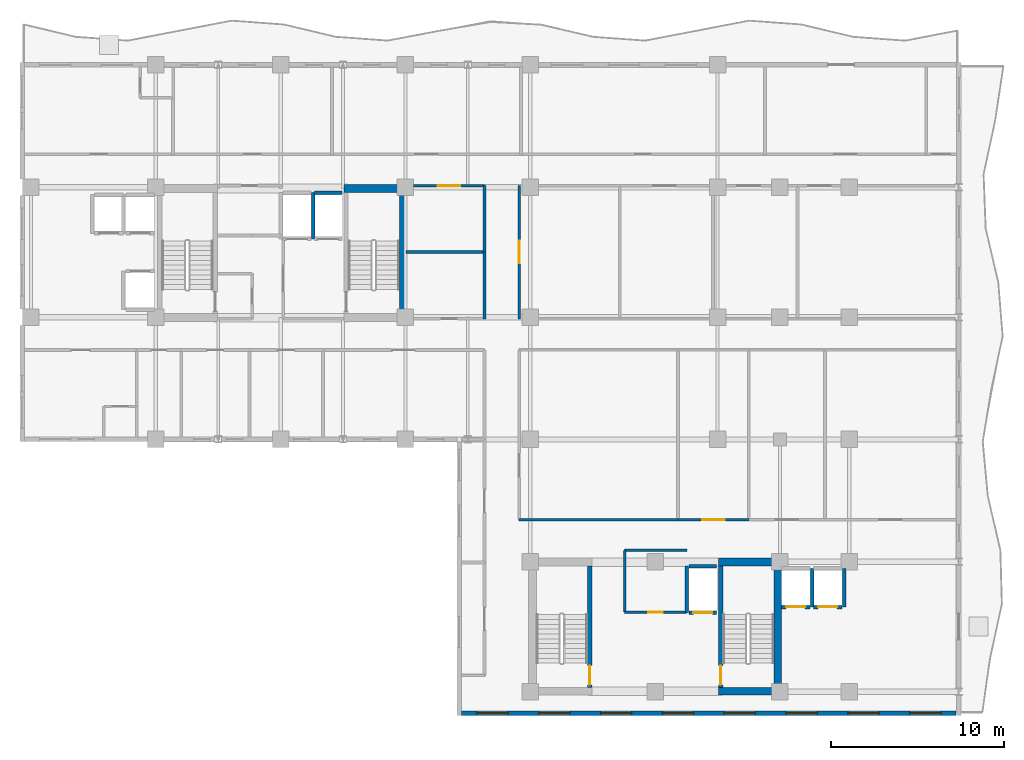
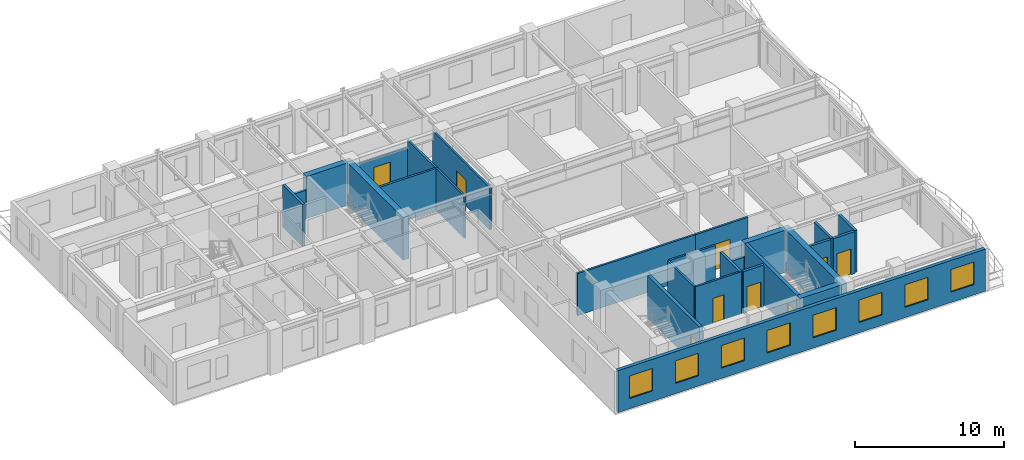
# One storey, part 7 of 13: 27 walls, 9 doors, 8 windows, 17 openings.
"""IFC4 building model written with IfcOpenShell, lengths in metres."""

from ifc_helpers import new_model, si_unit, direction, frame, frame_2d, origin, place, context, subcontext, project, spatial, rectangle, extrude, material, layer, layer_set, type_object, element, fill, save


model = new_model("IFC4")

# Units and contexts
model_context = context("Model", 3, precision=1e-05, world=origin(), true_north=direction((0.0, 1.0)))
body_context = subcontext(model_context, "Body", "Model", "MODEL_VIEW")
ifc_project = project(units=[si_unit("LENGTHUNIT", "METRE"), si_unit("AREAUNIT", "SQUARE_METRE"), si_unit("VOLUMEUNIT", "CUBIC_METRE"), si_unit("PLANEANGLEUNIT", "RADIAN"), si_unit("MASSUNIT", "GRAM", prefix="KILO")], contexts=[model_context])

# Site, building, storey
site_placement = place(None, origin())
site = spatial("IfcSite", under=ifc_project, at=site_placement, CompositionType="ELEMENT")
building_placement = place(site_placement, origin())
building = spatial("IfcBuilding", under=site, at=building_placement, Name="Kaliganga Portal Commons", CompositionType="ELEMENT")
storey_placement = place(building_placement, frame((0.0, 0.0, 209.199951171875)))
storey = spatial("IfcBuildingStorey", under=building, at=storey_placement, Name="L53", CompositionType="ELEMENT", Elevation=209.199951171875)

# Walls
ifc_material_1 = material(Name="Concrete C60/75", Category="concrete")
ifc_layer_1 = layer(ifc_material_1, 0.449951171875)
ifc_layer_set_1 = layer_set([ifc_layer_1], Name="Concrete C60/75")
wall_type_1 = type_object("IfcWallType", Name="WL-CORE-450", PredefinedType="SHEAR", material=ifc_layer_set_1)
wall_1_placement = place(storey_placement, frame((28.675048828125, 28.39990234375, 0.0), z_axis=(0.0, 0.0, 1.0), x_axis=(0.0, 1.0, 0.0)))
element("IfcWall", 1, at=wall_1_placement, inside=storey, type_object=wall_type_1, Name="Core A East Shear Wall L53", PredefinedType="SHEAR", context=body_context, shape_type="SweptSolid", body=[
    extrude(rectangle(XDim=7.900146484375, YDim=0.449951171875, at=frame_2d((3.9501953125, 0.0))), origin(), (0.0, 0.0, 1.0), 3.469970703125),
])
wall_2_placement = place(storey_placement, frame((25.25, 36.074951171875, 0.0), z_axis=(0.0, 0.0, 1.0), x_axis=(1.0, 0.0, 0.0)))
element("IfcWall", 2, at=wall_2_placement, inside=storey, type_object=wall_type_1, Name="Core A N-East Shear Wall L53", PredefinedType="SHEAR", context=body_context, shape_type="SweptSolid", body=[
    extrude(rectangle(XDim=3.199951171875, YDim=0.449951171875, at=frame_2d((1.60009765625, 0.0))), origin(), (0.0, 0.0, 1.0), 3.469970703125),
])
wall_3_placement = place(storey_placement, frame((50.27490234375, 6.85009765625, 0.0), z_axis=(0.0, 0.0, 1.0), x_axis=(0.0, 1.0, 0.0)))
element("IfcWall", 3, at=wall_3_placement, inside=storey, type_object=wall_type_1, Name="Core B East Shear Wall L53", PredefinedType="SHEAR", context=body_context, shape_type="SweptSolid", body=[
    extrude(rectangle(XDim=7.89990234375, YDim=0.449951171875, at=frame_2d((3.949951171875, 0.0))), origin(), (0.0, 0.0, 1.0), 3.469970703125),
])
for number, where, z_axis, x_axis, name in (
    (4, (46.85009765625, 7.074951171875, 0.0), (0.0, 0.0, 1.0), (1.0, 0.0, 0.0), "Core B S-East Shear Wall L53"),
    (5, (46.85009765625, 14.52490234375, 0.0), (0.0, 0.0, 1.0), (1.0, 0.0, 0.0), "Core B N-East Shear Wall L53"),
):
    element("IfcWall", number, at=place(storey_placement, frame(where, z_axis=z_axis, x_axis=x_axis)), inside=storey, type_object=wall_type_1, Name=name, PredefinedType="SHEAR", context=body_context, shape_type="SweptSolid", body=[
        extrude(rectangle(XDim=3.199951171875, YDim=0.449951171875, at=frame_2d((1.60009765625, 0.0))), origin(), (0.0, 0.0, 1.0), 3.469970703125),
    ])

# Wall, openings, windows
ifc_material_2 = material(Name="Insulated Aluminium-Clad Spandrel Assembly", Category="aluminium")
ifc_layer_2 = layer(ifc_material_2, 0.260009765625)
ifc_layer_set_2 = layer_set([ifc_layer_2], Name="Insulated Aluminium-Clad Spandrel Assembly")
wall_type_2 = type_object("IfcWallType", Name="WL-EXT-SPAND-260", PredefinedType="STANDARD", material=ifc_layer_set_2)
wall_4_placement = place(storey_placement, frame((60.56494140625, 5.800048828125, 0.0), z_axis=(0.0, 0.0, 1.0), x_axis=(-1.0, 0.0, 0.0)))
wall_4 = element("IfcWall", 6, at=wall_4_placement, inside=storey, type_object=wall_type_2, Name="Exterior Envelope Wall L53 P1-E00-S1", PredefinedType="STANDARD", context=body_context, shape_type="SweptSolid", body=[
    extrude(rectangle(XDim=28.530029296875, YDim=0.260009765625, at=frame_2d((14.26513671875, 0.0))), origin(), (0.0, 0.0, 1.0), 3.449951171875),
])
opening_1_placement = place(wall_4_placement, frame((0.883056640625, 0.0, 0.85009765625)))
opening_1 = element("IfcOpeningElement", 7, at=opening_1_placement, cuts=wall_4, Name="Opening W-01", PredefinedType="OPENING", context=body_context, shape_type="SweptSolid", body=[
    extrude(rectangle(XDim=1.800048828125, YDim=1.85009765625, at=frame_2d((0.89990234375, 0.925048828125))), frame((0.0, 0.14013671875, 0.0), z_axis=(0.0, -1.0, 0.0), x_axis=(1.0, 0.0, 0.0)), (0.0, 0.0, 1.0), 0.280029296875),
])
opening_2_placement = place(wall_4_placement, frame((4.449462890625, 0.0, 0.85009765625)))
opening_2 = element("IfcOpeningElement", 8, at=opening_2_placement, cuts=wall_4, Name="Opening W-01", PredefinedType="OPENING", context=body_context, shape_type="SweptSolid", body=[
    extrude(rectangle(XDim=1.800048828125, YDim=1.85009765625, at=frame_2d((0.89990234375, 0.925048828125))), frame((0.0, 0.14013671875, 0.0), z_axis=(0.0, -1.0, 0.0), x_axis=(1.0, 0.0, 0.0)), (0.0, 0.0, 1.0), 0.280029296875),
])
opening_3_placement = place(wall_4_placement, frame((8.015625, 0.0, 0.85009765625)))
opening_3 = element("IfcOpeningElement", 9, at=opening_3_placement, cuts=wall_4, Name="Opening W-01", PredefinedType="OPENING", context=body_context, shape_type="SweptSolid", body=[
    extrude(rectangle(XDim=1.800048828125, YDim=1.85009765625, at=frame_2d((0.89990234375, 0.925048828125))), frame((0.0, 0.14013671875, 0.0), z_axis=(0.0, -1.0, 0.0), x_axis=(1.0, 0.0, 0.0)), (0.0, 0.0, 1.0), 0.280029296875),
])
opening_4_placement = place(wall_4_placement, frame((11.581787109375, 0.0, 0.85009765625)))
opening_4 = element("IfcOpeningElement", 10, at=opening_4_placement, cuts=wall_4, Name="Opening W-01", PredefinedType="OPENING", context=body_context, shape_type="SweptSolid", body=[
    extrude(rectangle(XDim=1.800048828125, YDim=1.85009765625, at=frame_2d((0.89990234375, 0.925048828125))), frame((0.0, 0.14013671875, 0.0), z_axis=(0.0, -1.0, 0.0), x_axis=(1.0, 0.0, 0.0)), (0.0, 0.0, 1.0), 0.280029296875),
])
opening_5_placement = place(wall_4_placement, frame((15.148193359375, 0.0, 0.85009765625)))
opening_5 = element("IfcOpeningElement", 11, at=opening_5_placement, cuts=wall_4, Name="Opening W-01", PredefinedType="OPENING", context=body_context, shape_type="SweptSolid", body=[
    extrude(rectangle(XDim=1.800048828125, YDim=1.85009765625, at=frame_2d((0.89990234375, 0.925048828125))), frame((0.0, 0.14013671875, 0.0), z_axis=(0.0, -1.0, 0.0), x_axis=(1.0, 0.0, 0.0)), (0.0, 0.0, 1.0), 0.280029296875),
])
opening_6_placement = place(wall_4_placement, frame((18.71435546875, 0.0, 0.85009765625)))
opening_6 = element("IfcOpeningElement", 12, at=opening_6_placement, cuts=wall_4, Name="Opening W-01", PredefinedType="OPENING", context=body_context, shape_type="SweptSolid", body=[
    extrude(rectangle(XDim=1.800048828125, YDim=1.85009765625, at=frame_2d((0.89990234375, 0.925048828125))), frame((0.0, 0.14013671875, 0.0), z_axis=(0.0, -1.0, 0.0), x_axis=(1.0, 0.0, 0.0)), (0.0, 0.0, 1.0), 0.280029296875),
])
opening_7_placement = place(wall_4_placement, frame((22.280517578125, 0.0, 0.85009765625)))
opening_7 = element("IfcOpeningElement", 13, at=opening_7_placement, cuts=wall_4, Name="Opening W-01", PredefinedType="OPENING", context=body_context, shape_type="SweptSolid", body=[
    extrude(rectangle(XDim=1.800048828125, YDim=1.85009765625, at=frame_2d((0.89990234375, 0.925048828125))), frame((0.0, 0.14013671875, 0.0), z_axis=(0.0, -1.0, 0.0), x_axis=(1.0, 0.0, 0.0)), (0.0, 0.0, 1.0), 0.280029296875),
])
opening_8_placement = place(wall_4_placement, frame((25.846923828125, 0.0, 0.85009765625)))
opening_8 = element("IfcOpeningElement", 14, at=opening_8_placement, cuts=wall_4, Name="Opening W-01", PredefinedType="OPENING", context=body_context, shape_type="SweptSolid", body=[
    extrude(rectangle(XDim=1.800048828125, YDim=1.85009765625, at=frame_2d((0.89990234375, 0.925048828125))), frame((0.0, 0.14013671875, 0.0), z_axis=(0.0, -1.0, 0.0), x_axis=(1.0, 0.0, 0.0)), (0.0, 0.0, 1.0), 0.280029296875),
])
ifc_material_3 = material(Name="Thermally Broken Aluminium and Low-E Double Glazing", Category="aluminium")
window_type = type_object("IfcWindowType", Name="WIN-STD-1800", PartitioningType="DOUBLE_PANEL_VERTICAL", PredefinedType="WINDOW", material=ifc_material_3)
window_1_placement = place(opening_1_placement, origin())
window_1 = element("IfcWindow", 15, at=window_1_placement, inside=storey, type_object=window_type, Name="Facade Window L53-P1E00S1-00", OverallHeight=1.85009765625, OverallWidth=1.800048828125, PartitioningType="SINGLE_PANEL", PredefinedType="WINDOW", context=body_context, shape_type="SweptSolid", body=[
    extrude(rectangle(XDim=1.800048828125, YDim=1.85009765625, at=frame_2d((0.89990234375, 0.925048828125))), frame((0.0, 0.030029296875, 0.0), z_axis=(0.0, -1.0, 0.0), x_axis=(1.0, 0.0, 0.0)), (0.0, 0.0, 1.0), 0.06005859375),
])
fill(opening_1, window_1)
window_2_placement = place(opening_2_placement, origin())
window_2 = element("IfcWindow", 16, at=window_2_placement, inside=storey, type_object=window_type, Name="Facade Window L53-P1E00S1-01", OverallHeight=1.85009765625, OverallWidth=1.800048828125, PartitioningType="SINGLE_PANEL", PredefinedType="WINDOW", context=body_context, shape_type="SweptSolid", body=[
    extrude(rectangle(XDim=1.800048828125, YDim=1.85009765625, at=frame_2d((0.89990234375, 0.925048828125))), frame((0.0, 0.030029296875, 0.0), z_axis=(0.0, -1.0, 0.0), x_axis=(1.0, 0.0, 0.0)), (0.0, 0.0, 1.0), 0.06005859375),
])
fill(opening_2, window_2)
window_3_placement = place(opening_3_placement, origin())
window_3 = element("IfcWindow", 17, at=window_3_placement, inside=storey, type_object=window_type, Name="Facade Window L53-P1E00S1-02", OverallHeight=1.85009765625, OverallWidth=1.800048828125, PartitioningType="SINGLE_PANEL", PredefinedType="WINDOW", context=body_context, shape_type="SweptSolid", body=[
    extrude(rectangle(XDim=1.800048828125, YDim=1.85009765625, at=frame_2d((0.89990234375, 0.925048828125))), frame((0.0, 0.030029296875, 0.0), z_axis=(0.0, -1.0, 0.0), x_axis=(1.0, 0.0, 0.0)), (0.0, 0.0, 1.0), 0.06005859375),
])
fill(opening_3, window_3)
window_4_placement = place(opening_4_placement, origin())
window_4 = element("IfcWindow", 18, at=window_4_placement, inside=storey, type_object=window_type, Name="Facade Window L53-P1E00S1-03", OverallHeight=1.85009765625, OverallWidth=1.800048828125, PartitioningType="SINGLE_PANEL", PredefinedType="WINDOW", context=body_context, shape_type="SweptSolid", body=[
    extrude(rectangle(XDim=1.800048828125, YDim=1.85009765625, at=frame_2d((0.89990234375, 0.925048828125))), frame((0.0, 0.030029296875, 0.0), z_axis=(0.0, -1.0, 0.0), x_axis=(1.0, 0.0, 0.0)), (0.0, 0.0, 1.0), 0.06005859375),
])
fill(opening_4, window_4)
window_5_placement = place(opening_5_placement, origin())
window_5 = element("IfcWindow", 19, at=window_5_placement, inside=storey, type_object=window_type, Name="Facade Window L53-P1E00S1-04", OverallHeight=1.85009765625, OverallWidth=1.800048828125, PartitioningType="SINGLE_PANEL", PredefinedType="WINDOW", context=body_context, shape_type="SweptSolid", body=[
    extrude(rectangle(XDim=1.800048828125, YDim=1.85009765625, at=frame_2d((0.89990234375, 0.925048828125))), frame((0.0, 0.030029296875, 0.0), z_axis=(0.0, -1.0, 0.0), x_axis=(1.0, 0.0, 0.0)), (0.0, 0.0, 1.0), 0.06005859375),
])
fill(opening_5, window_5)
window_6_placement = place(opening_6_placement, origin())
window_6 = element("IfcWindow", 20, at=window_6_placement, inside=storey, type_object=window_type, Name="Facade Window L53-P1E00S1-05", OverallHeight=1.85009765625, OverallWidth=1.800048828125, PartitioningType="SINGLE_PANEL", PredefinedType="WINDOW", context=body_context, shape_type="SweptSolid", body=[
    extrude(rectangle(XDim=1.800048828125, YDim=1.85009765625, at=frame_2d((0.89990234375, 0.925048828125))), frame((0.0, 0.030029296875, 0.0), z_axis=(0.0, -1.0, 0.0), x_axis=(1.0, 0.0, 0.0)), (0.0, 0.0, 1.0), 0.06005859375),
])
fill(opening_6, window_6)
window_7_placement = place(opening_7_placement, origin())
window_7 = element("IfcWindow", 21, at=window_7_placement, inside=storey, type_object=window_type, Name="Facade Window L53-P1E00S1-06", OverallHeight=1.85009765625, OverallWidth=1.800048828125, PartitioningType="SINGLE_PANEL", PredefinedType="WINDOW", context=body_context, shape_type="SweptSolid", body=[
    extrude(rectangle(XDim=1.800048828125, YDim=1.85009765625, at=frame_2d((0.89990234375, 0.925048828125))), frame((0.0, 0.030029296875, 0.0), z_axis=(0.0, -1.0, 0.0), x_axis=(1.0, 0.0, 0.0)), (0.0, 0.0, 1.0), 0.06005859375),
])
fill(opening_7, window_7)
window_8_placement = place(opening_8_placement, origin())
window_8 = element("IfcWindow", 22, at=window_8_placement, inside=storey, type_object=window_type, Name="Facade Window L53-P1E00S1-07", OverallHeight=1.85009765625, OverallWidth=1.800048828125, PartitioningType="SINGLE_PANEL", PredefinedType="WINDOW", context=body_context, shape_type="SweptSolid", body=[
    extrude(rectangle(XDim=1.800048828125, YDim=1.85009765625, at=frame_2d((0.89990234375, 0.925048828125))), frame((0.0, 0.030029296875, 0.0), z_axis=(0.0, -1.0, 0.0), x_axis=(1.0, 0.0, 0.0)), (0.0, 0.0, 1.0), 0.06005859375),
])
fill(opening_8, window_8)

# Wall
ifc_material_4 = material(Name="Fire-Rated Gypsum Board on Steel Stud", Category="steel")
ifc_layer_3 = layer(ifc_material_4, 0.14990234375)
ifc_layer_set_3 = layer_set([ifc_layer_3], Name="Fire-Rated Gypsum Board on Steel Stud")
wall_type_3 = type_object("IfcWallType", Name="WL-PART-CORR-150", PredefinedType="PARTITIONING", material=ifc_layer_set_3)
wall_5_placement = place(storey_placement, frame((35.360107421875, 16.9599609375, 0.0), z_axis=(0.0, 0.0, 1.0), x_axis=(1.0, 0.0, 0.0)))
element("IfcWall", 23, at=wall_5_placement, inside=storey, type_object=wall_type_3, Name="Interior Partition L53-014", PredefinedType="PARTITIONING", context=body_context, shape_type="SweptSolid", body=[
    extrude(rectangle(XDim=9.159912109375, YDim=0.14990234375, at=frame_2d((4.580078125, 0.0))), origin(), (0.0, 0.0, 1.0), 3.449951171875),
])

# Wall, opening, door
wall_6_placement = place(storey_placement, frame((35.360107421875, 28.56005859375, 0.0), z_axis=(0.0, 0.0, 1.0), x_axis=(0.0, 1.0, 0.0)))
wall_6 = element("IfcWall", 24, at=wall_6_placement, inside=storey, type_object=wall_type_3, Name="Interior Partition L53-018", PredefinedType="PARTITIONING", context=body_context, shape_type="SweptSolid", body=[
    extrude(rectangle(XDim=7.679931640625, YDim=0.14990234375, at=frame_2d((3.83984375, 0.0))), origin(), (0.0, 0.0, 1.0), 3.449951171875),
])
opening_9_placement = place(wall_6_placement, frame((3.18994140625, 0.0, 0.0)))
opening_9 = element("IfcOpeningElement", 25, at=opening_9_placement, cuts=wall_6, Name="Opening RD-03", PredefinedType="OPENING", context=body_context, shape_type="SweptSolid", body=[
    extrude(rectangle(XDim=1.300048828125, YDim=2.1201171875, at=frame_2d((0.64990234375, 1.06005859375))), frame((0.0, 0.0849609375, 0.0), z_axis=(0.0, -1.0, 0.0), x_axis=(1.0, 0.0, 0.0)), (0.0, 0.0, 1.0), 0.169921875),
])
ifc_material_5 = material(Name="Glazed Timber Seminar Vision Door", Category="wood")
door_type_1 = type_object("IfcDoorType", Name="DR-STUDY-1300", OperationType="DOUBLE_DOOR_SINGLE_SWING", PredefinedType="DOOR", material=ifc_material_5)
door_1_placement = place(opening_9_placement, origin())
door_1 = element("IfcDoor", 26, at=door_1_placement, inside=storey, type_object=door_type_1, Name="Interior Door L53-BK01", OperationType="DOUBLE_DOOR_SINGLE_SWING", OverallHeight=2.1201171875, OverallWidth=1.300048828125, PredefinedType="DOOR", context=body_context, shape_type="SweptSolid", body=[
    extrude(rectangle(XDim=1.300048828125, YDim=2.1201171875, at=frame_2d((0.64990234375, 1.06005859375))), frame((0.0, 0.02490234375, 0.0), z_axis=(0.0, -1.0, 0.0), x_axis=(1.0, 0.0, 0.0)), (0.0, 0.0, 1.0), 0.050048828125),
])
fill(opening_9, door_1)

wall_7_placement = place(storey_placement, frame((29.27490234375, 36.239990234375, 0.0), z_axis=(0.0, 0.0, 1.0), x_axis=(1.0, 0.0, 0.0)))
wall_7 = element("IfcWall", 27, at=wall_7_placement, inside=storey, type_object=wall_type_3, Name="Interior Partition L53-028", PredefinedType="PARTITIONING", context=body_context, shape_type="SweptSolid", body=[
    extrude(rectangle(XDim=4.085205078125, YDim=0.14990234375, at=frame_2d((2.04248046875, 0.0))), origin(), (0.0, 0.0, 1.0), 2.85009765625),
])
opening_10_placement = place(wall_7_placement, frame((1.392578125, 0.0, 0.0)))
opening_10 = element("IfcOpeningElement", 28, at=opening_10_placement, cuts=wall_7, Name="Opening RD-03", PredefinedType="OPENING", context=body_context, shape_type="SweptSolid", body=[
    extrude(rectangle(XDim=1.300048828125, YDim=2.1201171875, at=frame_2d((0.64990234375, 1.06005859375))), frame((0.0, 0.0849609375, 0.0), z_axis=(0.0, -1.0, 0.0), x_axis=(1.0, 0.0, 0.0)), (0.0, 0.0, 1.0), 0.169921875),
])
door_2_placement = place(opening_10_placement, origin())
door_2 = element("IfcDoor", 29, at=door_2_placement, inside=storey, type_object=door_type_1, Name="Interior Door L53-CSRV_A2", OperationType="DOUBLE_DOOR_SINGLE_SWING", OverallHeight=2.1201171875, OverallWidth=1.300048828125, PredefinedType="DOOR", context=body_context, shape_type="SweptSolid", body=[
    extrude(rectangle(XDim=1.300048828125, YDim=2.1201171875, at=frame_2d((0.64990234375, 1.06005859375))), frame((0.0, 0.02490234375, 0.0), z_axis=(0.0, -1.0, 0.0), x_axis=(1.0, 0.0, 0.0)), (0.0, 0.0, 1.0), 0.050048828125),
])
fill(opening_10, door_2)

wall_8_placement = place(storey_placement, frame((44.52001953125, 16.9599609375, 0.0), z_axis=(0.0, 0.0, 1.0), x_axis=(1.0, 0.0, 0.0)))
wall_8 = element("IfcWall", 30, at=wall_8_placement, inside=storey, type_object=wall_type_3, Name="Interior Partition L53-031", PredefinedType="PARTITIONING", context=body_context, shape_type="SweptSolid", body=[
    extrude(rectangle(XDim=4.080078125, YDim=0.14990234375, at=frame_2d((2.0400390625, 0.0))), origin(), (0.0, 0.0, 1.0), 3.449951171875),
])
opening_11_placement = place(wall_8_placement, frame((1.389892578125, 0.0, 0.0)))
opening_11 = element("IfcOpeningElement", 31, at=opening_11_placement, cuts=wall_8, Name="Opening RD-03", PredefinedType="OPENING", context=body_context, shape_type="SweptSolid", body=[
    extrude(rectangle(XDim=1.300048828125, YDim=2.1201171875, at=frame_2d((0.64990234375, 1.06005859375))), frame((0.0, 0.0849609375, 0.0), z_axis=(0.0, -1.0, 0.0), x_axis=(1.0, 0.0, 0.0)), (0.0, 0.0, 1.0), 0.169921875),
])
door_3_placement = place(opening_11_placement, origin())
door_3 = element("IfcDoor", 32, at=door_3_placement, inside=storey, type_object=door_type_1, Name="Interior Door L53-BM02", OperationType="DOUBLE_DOOR_SINGLE_SWING", OverallHeight=2.1201171875, OverallWidth=1.300048828125, PredefinedType="DOOR", context=body_context, shape_type="SweptSolid", body=[
    extrude(rectangle(XDim=1.300048828125, YDim=2.1201171875, at=frame_2d((0.64990234375, 1.06005859375))), frame((0.0, 0.02490234375, 0.0), z_axis=(0.0, -1.0, 0.0), x_axis=(1.0, 0.0, 0.0)), (0.0, 0.0, 1.0), 0.050048828125),
])
fill(opening_11, door_3)

# Walls
wall_9_placement = place(storey_placement, frame((33.360107421875, 32.39990234375, 0.0), z_axis=(0.0, 0.0, 1.0), x_axis=(0.0, 1.0, 0.0)))
element("IfcWall", 33, at=wall_9_placement, inside=storey, type_object=wall_type_3, Name="Interior Partition L53-033", PredefinedType="PARTITIONING", context=body_context, shape_type="SweptSolid", body=[
    extrude(rectangle(XDim=3.840087890625, YDim=0.14990234375, at=frame_2d((1.919921875, 0.0))), origin(), (0.0, 0.0, 1.0), 3.449951171875),
])
wall_10_placement = place(storey_placement, frame((33.360107421875, 28.56005859375, 0.0), z_axis=(0.0, 0.0, 1.0), x_axis=(0.0, 1.0, 0.0)))
element("IfcWall", 34, at=wall_10_placement, inside=storey, type_object=wall_type_3, Name="Interior Partition L53-034", PredefinedType="PARTITIONING", context=body_context, shape_type="SweptSolid", body=[
    extrude(rectangle(XDim=3.83984375, YDim=0.14990234375, at=frame_2d((1.919921875, 0.0))), origin(), (0.0, 0.0, 1.0), 3.449951171875),
])

# Wall, opening, door
wall_11_placement = place(storey_placement, frame((41.43994140625, 11.639892578125, 0.0), z_axis=(0.0, 0.0, 1.0), x_axis=(1.0, 0.0, 0.0)))
wall_11 = element("IfcWall", 35, at=wall_11_placement, inside=storey, type_object=wall_type_3, Name="Interior Partition L53-036", PredefinedType="PARTITIONING", context=body_context, shape_type="SweptSolid", body=[
    extrude(rectangle(XDim=3.570068359375, YDim=0.14990234375, at=frame_2d((1.78515625, 0.0))), origin(), (0.0, 0.0, 1.0), 3.449951171875),
])
opening_12_placement = place(wall_11_placement, frame((1.360107421875, 0.0, 0.0)))
opening_12 = element("IfcOpeningElement", 36, at=opening_12_placement, cuts=wall_11, Name="Opening WD-01", PredefinedType="OPENING", context=body_context, shape_type="SweptSolid", body=[
    extrude(rectangle(XDim=0.85009765625, YDim=2.0400390625, at=frame_2d((0.425048828125, 1.02001953125))), frame((0.0, 0.0849609375, 0.0), z_axis=(0.0, -1.0, 0.0), x_axis=(1.0, 0.0, 0.0)), (0.0, 0.0, 1.0), 0.169921875),
])
ifc_material_6 = material(Name="Moisture-Resistant Laminate Timber Door", Category="wood")
door_type_2 = type_object("IfcDoorType", Name="DR-WET-850", OperationType="NOTDEFINED", PredefinedType="DOOR", material=ifc_material_6)
door_4_placement = place(opening_12_placement, origin())
door_4 = element("IfcDoor", 37, at=door_4_placement, inside=storey, type_object=door_type_2, Name="Interior Door L53-CREC_B1", OperationType="SINGLE_SWING_RIGHT", OverallHeight=2.0400390625, OverallWidth=0.85009765625, PredefinedType="DOOR", context=body_context, shape_type="SweptSolid", body=[
    extrude(rectangle(XDim=0.85009765625, YDim=2.0400390625, at=frame_2d((0.425048828125, 1.02001953125))), frame((0.0, 0.02490234375, 0.0), z_axis=(0.0, -1.0, 0.0), x_axis=(1.0, 0.0, 0.0)), (0.0, 0.0, 1.0), 0.050048828125),
])
fill(opening_12, door_4)

# Walls
wall_12_placement = place(storey_placement, frame((41.43994140625, 15.199951171875, 0.0), z_axis=(0.0, 0.0, 1.0), x_axis=(1.0, 0.0, 0.0)))
element("IfcWall", 38, at=wall_12_placement, inside=storey, type_object=wall_type_3, Name="Interior Partition L53-037", PredefinedType="PARTITIONING", context=body_context, shape_type="SweptSolid", body=[
    extrude(rectangle(XDim=3.60009765625, YDim=0.14990234375, at=frame_2d((1.800048828125, 0.0))), origin(), (0.0, 0.0, 1.0), 3.449951171875),
])
wall_13_placement = place(storey_placement, frame((41.43994140625, 11.639892578125, 0.0), z_axis=(0.0, 0.0, 1.0), x_axis=(0.0, 1.0, 0.0)))
element("IfcWall", 39, at=wall_13_placement, inside=storey, type_object=wall_type_3, Name="Interior Partition L53-038", PredefinedType="PARTITIONING", context=body_context, shape_type="SweptSolid", body=[
    extrude(rectangle(XDim=3.56005859375, YDim=0.14990234375, at=frame_2d((1.780029296875, 0.0))), origin(), (0.0, 0.0, 1.0), 3.449951171875),
])
ifc_material_7 = material(Name="Twin-Stud Acoustic Gypsum Partition", Category="gypsum")
ifc_layer_4 = layer(ifc_material_7, 0.1650390625)
ifc_layer_set_4 = layer_set([ifc_layer_4], Name="Twin-Stud Acoustic Gypsum Partition")
wall_type_4 = type_object("IfcWallType", Name="WL-PART-UNIT-165", PredefinedType="PARTITIONING", material=ifc_layer_set_4)
wall_14_placement = place(storey_placement, frame((28.840087890625, 32.39990234375, 0.0), z_axis=(0.0, 0.0, 1.0), x_axis=(1.0, 0.0, 0.0)))
element("IfcWall", 40, at=wall_14_placement, inside=storey, type_object=wall_type_4, Name="Interior Partition L53-068", PredefinedType="PARTITIONING", context=body_context, shape_type="SweptSolid", body=[
    extrude(rectangle(XDim=4.52001953125, YDim=0.1650390625, at=frame_2d((2.260009765625, 0.0))), origin(), (0.0, 0.0, 1.0), 3.449951171875),
])
ifc_material_8 = material(Name="Fire-Rated Shaftwall Masonry Assembly", Category="masonry")
ifc_layer_5 = layer(ifc_material_8, 0.199951171875)
ifc_layer_set_5 = layer_set([ifc_layer_5], Name="Fire-Rated Shaftwall Masonry Assembly")
wall_type_5 = type_object("IfcWallType", Name="WL-SHAFT-200", PredefinedType="PARTITIONING", material=ifc_layer_set_5)
wall_15_placement = place(storey_placement, frame((23.489990234375, 33.159912109375, 0.0), z_axis=(0.0, 0.0, 1.0), x_axis=(0.0, 1.0, 0.0)))
element("IfcWall", 41, at=wall_15_placement, inside=storey, type_object=wall_type_5, Name="Lift FFL-1 Hoistway Shaft Wall L53-E", PredefinedType="PARTITIONING", context=body_context, shape_type="SweptSolid", body=[
    extrude(rectangle(XDim=2.68017578125, YDim=0.199951171875, at=frame_2d((1.340087890625, 0.0))), origin(), (0.0, 0.0, 1.0), 3.449951171875),
])
wall_16_placement = place(storey_placement, frame((23.550048828125, 35.840087890625, 0.0), z_axis=(0.0, 0.0, 1.0), x_axis=(1.0, 0.0, 0.0)))
element("IfcWall", 42, at=wall_16_placement, inside=storey, type_object=wall_type_5, Name="Lift FFL-2 Hoistway Shaft Wall L53-N", PredefinedType="PARTITIONING", context=body_context, shape_type="SweptSolid", body=[
    extrude(rectangle(XDim=1.599853515625, YDim=0.199951171875, at=frame_2d((0.7998046875, 0.0))), origin(), (0.0, 0.0, 1.0), 2.449951171875),
])

# Wall, opening, door
wall_17_placement = place(storey_placement, frame((50.47509765625, 11.93505859375, 0.0), z_axis=(0.0, 0.0, 1.0), x_axis=(1.0, 0.0, 0.0)))
wall_17 = element("IfcWall", 43, at=wall_17_placement, inside=storey, type_object=wall_type_5, Name="Lift PL-B3 Hoistway Shaft Wall L53-S", PredefinedType="PARTITIONING", context=body_context, shape_type="SweptSolid", body=[
    extrude(rectangle(XDim=1.64990234375, YDim=0.199951171875, at=frame_2d((0.824951171875, 0.0))), origin(), (0.0, 0.0, 1.0), 3.449951171875),
])
opening_13_placement = place(wall_17_placement, frame((0.27490234375, 0.0, 0.0)))
opening_13 = element("IfcOpeningElement", 44, at=opening_13_placement, cuts=wall_17, Name="Opening LD-01", PredefinedType="OPENING", context=body_context, shape_type="SweptSolid", body=[
    extrude(rectangle(XDim=1.10009765625, YDim=2.1201171875, at=frame_2d((0.550048828125, 1.06005859375))), frame((0.0, 0.10986328125, 0.0), z_axis=(0.0, -1.0, 0.0), x_axis=(1.0, 0.0, 0.0)), (0.0, 0.0, 1.0), 0.219970703125),
])
ifc_material_9 = material(Name="Brushed Stainless Steel 316 Lift Landing Door", Category="steel")
door_type_3 = type_object("IfcDoorType", Name="DR-LIFT-1100", OperationType="SLIDING_TO_LEFT", PredefinedType="DOOR", material=ifc_material_9)
door_5_placement = place(opening_13_placement, origin())
door_5 = element("IfcDoor", 45, at=door_5_placement, inside=storey, type_object=door_type_3, Name="Lift PL-B3 Sliding Landing Door L53", OperationType="SLIDING_TO_LEFT", OverallHeight=2.1201171875, OverallWidth=1.10009765625, PredefinedType="DOOR", context=body_context, shape_type="SweptSolid", body=[
    extrude(rectangle(XDim=1.10009765625, YDim=2.1201171875, at=frame_2d((0.550048828125, 1.06005859375))), frame((0.0, 0.02490234375, 0.0), z_axis=(0.0, -1.0, 0.0), x_axis=(1.0, 0.0, 0.0)), (0.0, 0.0, 1.0), 0.050048828125),
])
fill(opening_13, door_5)

# Wall
wall_18_placement = place(storey_placement, frame((52.264892578125, 11.93505859375, 0.0), z_axis=(0.0, 0.0, 1.0), x_axis=(0.0, 1.0, 0.0)))
element("IfcWall", 46, at=wall_18_placement, inside=storey, type_object=wall_type_5, Name="Lift PL-B3 Hoistway Shaft Wall L53-E", PredefinedType="PARTITIONING", context=body_context, shape_type="SweptSolid", body=[
    extrude(rectangle(XDim=2.22998046875, YDim=0.199951171875, at=frame_2d((1.114990234375, 0.0))), origin(), (0.0, 0.0, 1.0), 3.449951171875),
])

# Wall, opening, door
wall_19_placement = place(storey_placement, frame((52.324951171875, 11.93505859375, 0.0), z_axis=(0.0, 0.0, 1.0), x_axis=(1.0, 0.0, 0.0)))
wall_19 = element("IfcWall", 47, at=wall_19_placement, inside=storey, type_object=wall_type_5, Name="Lift PL-B4 Hoistway Shaft Wall L53-S", PredefinedType="PARTITIONING", context=body_context, shape_type="SweptSolid", body=[
    extrude(rectangle(XDim=1.650146484375, YDim=0.199951171875, at=frame_2d((0.8251953125, 0.0))), origin(), (0.0, 0.0, 1.0), 3.449951171875),
])
opening_14_placement = place(wall_19_placement, frame((0.27490234375, 0.0, 0.0)))
opening_14 = element("IfcOpeningElement", 48, at=opening_14_placement, cuts=wall_19, Name="Opening LD-01", PredefinedType="OPENING", context=body_context, shape_type="SweptSolid", body=[
    extrude(rectangle(XDim=1.10009765625, YDim=2.1201171875, at=frame_2d((0.550048828125, 1.06005859375))), frame((0.0, 0.10986328125, 0.0), z_axis=(0.0, -1.0, 0.0), x_axis=(1.0, 0.0, 0.0)), (0.0, 0.0, 1.0), 0.219970703125),
])
door_6_placement = place(opening_14_placement, origin())
door_6 = element("IfcDoor", 49, at=door_6_placement, inside=storey, type_object=door_type_3, Name="Lift PL-B4 Sliding Landing Door L53", OperationType="SLIDING_TO_LEFT", OverallHeight=2.1201171875, OverallWidth=1.10009765625, PredefinedType="DOOR", context=body_context, shape_type="SweptSolid", body=[
    extrude(rectangle(XDim=1.10009765625, YDim=2.1201171875, at=frame_2d((0.550048828125, 1.06005859375))), frame((0.0, 0.02490234375, 0.0), z_axis=(0.0, -1.0, 0.0), x_axis=(1.0, 0.0, 0.0)), (0.0, 0.0, 1.0), 0.050048828125),
])
fill(opening_14, door_6)

# Wall
wall_20_placement = place(storey_placement, frame((54.114990234375, 11.93505859375, 0.0), z_axis=(0.0, 0.0, 1.0), x_axis=(0.0, 1.0, 0.0)))
element("IfcWall", 50, at=wall_20_placement, inside=storey, type_object=wall_type_5, Name="Lift PL-B4 Hoistway Shaft Wall L53-E", PredefinedType="PARTITIONING", context=body_context, shape_type="SweptSolid", body=[
    extrude(rectangle(XDim=2.22998046875, YDim=0.199951171875, at=frame_2d((1.114990234375, 0.0))), origin(), (0.0, 0.0, 1.0), 3.449951171875),
])

# Wall, opening, door
wall_21_placement = place(storey_placement, frame((45.14990234375, 11.610107421875, 0.0), z_axis=(0.0, 0.0, 1.0), x_axis=(1.0, 0.0, 0.0)))
wall_21 = element("IfcWall", 51, at=wall_21_placement, inside=storey, type_object=wall_type_5, Name="Lift SL-B1 Hoistway Shaft Wall L53-S", PredefinedType="PARTITIONING", context=body_context, shape_type="SweptSolid", body=[
    extrude(rectangle(XDim=1.60009765625, YDim=0.199951171875, at=frame_2d((0.800048828125, 0.0))), origin(), (0.0, 0.0, 1.0), 3.449951171875),
])
opening_15_placement = place(wall_21_placement, frame((0.25, 0.0, 0.0)))
opening_15 = element("IfcOpeningElement", 52, at=opening_15_placement, cuts=wall_21, Name="Opening LD-01", PredefinedType="OPENING", context=body_context, shape_type="SweptSolid", body=[
    extrude(rectangle(XDim=1.10009765625, YDim=2.1201171875, at=frame_2d((0.550048828125, 1.06005859375))), frame((0.0, 0.10986328125, 0.0), z_axis=(0.0, -1.0, 0.0), x_axis=(1.0, 0.0, 0.0)), (0.0, 0.0, 1.0), 0.219970703125),
])
door_7_placement = place(opening_15_placement, origin())
door_7 = element("IfcDoor", 53, at=door_7_placement, inside=storey, type_object=door_type_3, Name="Lift SL-B1 Sliding Landing Door L53", OperationType="SLIDING_TO_LEFT", OverallHeight=2.1201171875, OverallWidth=1.10009765625, PredefinedType="DOOR", context=body_context, shape_type="SweptSolid", body=[
    extrude(rectangle(XDim=1.10009765625, YDim=2.1201171875, at=frame_2d((0.550048828125, 1.06005859375))), frame((0.0, 0.02490234375, 0.0), z_axis=(0.0, -1.0, 0.0), x_axis=(1.0, 0.0, 0.0)), (0.0, 0.0, 1.0), 0.050048828125),
])
fill(opening_15, door_7)

# Walls
wall_22_placement = place(storey_placement, frame((45.14990234375, 14.2900390625, 0.0), z_axis=(0.0, 0.0, 1.0), x_axis=(1.0, 0.0, 0.0)))
element("IfcWall", 54, at=wall_22_placement, inside=storey, type_object=wall_type_5, Name="Lift SL-B1 Hoistway Shaft Wall L53-N", PredefinedType="PARTITIONING", context=body_context, shape_type="SweptSolid", body=[
    extrude(rectangle(XDim=1.60009765625, YDim=0.199951171875, at=frame_2d((0.800048828125, 0.0))), origin(), (0.0, 0.0, 1.0), 2.449951171875),
])
wall_23_placement = place(storey_placement, frame((45.010009765625, 11.610107421875, 0.0), z_axis=(0.0, 0.0, 1.0), x_axis=(0.0, 1.0, 0.0)))
element("IfcWall", 55, at=wall_23_placement, inside=storey, type_object=wall_type_5, Name="Lift SL-B1 Hoistway Shaft Wall L53-W", PredefinedType="PARTITIONING", context=body_context, shape_type="SweptSolid", body=[
    extrude(rectangle(XDim=2.679931640625, YDim=0.199951171875, at=frame_2d((1.33984375, 0.0))), origin(), (0.0, 0.0, 1.0), 3.449951171875),
])

# Wall, opening, door
ifc_material_10 = material(Name="Concrete C50/60", Category="concrete")
ifc_layer_6 = layer(ifc_material_10, 0.25)
ifc_layer_set_6 = layer_set([ifc_layer_6], Name="Concrete C50/60")
wall_type_6 = type_object("IfcWallType", Name="WL-STAIR-250", PredefinedType="SHEAR", material=ifc_layer_set_6)
wall_24_placement = place(storey_placement, frame((39.425048828125, 7.300048828125, 0.0), z_axis=(0.0, 0.0, 1.0), x_axis=(0.0, 1.0, 0.0)))
wall_24 = element("IfcWall", 56, at=wall_24_placement, inside=storey, type_object=wall_type_6, Name="Stair B1 Enclosure Shear Wall L53", PredefinedType="SHEAR", context=body_context, shape_type="SweptSolid", body=[
    extrude(rectangle(XDim=7.0, YDim=0.25, at=frame_2d((3.5, 0.0))), origin(), (0.0, 0.0, 1.0), 3.469970703125),
])
opening_16_placement = place(wall_24_placement, frame((0.14990234375, 0.0, 0.0)))
opening_16 = element("IfcOpeningElement", 57, at=opening_16_placement, cuts=wall_24, Name="Opening SD-01", PredefinedType="OPENING", context=body_context, shape_type="SweptSolid", body=[
    extrude(rectangle(XDim=1.10009765625, YDim=2.080078125, at=frame_2d((0.550048828125, 1.0400390625))), frame((0.0, 0.135009765625, 0.0), z_axis=(0.0, -1.0, 0.0), x_axis=(1.0, 0.0, 0.0)), (0.0, 0.0, 1.0), 0.27001953125),
])
ifc_material_11 = material(Name="Galvanized Steel Fire Door Leaf and Frame", Category="steel")
door_type_4 = type_object("IfcDoorType", Name="DR-STAIR-1100", OperationType="NOTDEFINED", PredefinedType="DOOR", material=ifc_material_11)
door_8_placement = place(opening_16_placement, origin())
door_8 = element("IfcDoor", 58, at=door_8_placement, inside=storey, type_object=door_type_4, Name="Protected Stair ST-B1 Fire Door L53", OperationType="SINGLE_SWING_LEFT", OverallHeight=2.080078125, OverallWidth=1.10009765625, PredefinedType="DOOR", context=body_context, shape_type="SweptSolid", body=[
    extrude(rectangle(XDim=1.10009765625, YDim=2.080078125, at=frame_2d((0.550048828125, 1.0400390625))), frame((0.0, 0.02490234375, 0.0), z_axis=(0.0, -1.0, 0.0), x_axis=(1.0, 0.0, 0.0)), (0.0, 0.0, 1.0), 0.050048828125),
])
fill(opening_16, door_8)

wall_25_placement = place(storey_placement, frame((46.97509765625, 7.300048828125, 0.0), z_axis=(0.0, 0.0, 1.0), x_axis=(0.0, 1.0, 0.0)))
wall_25 = element("IfcWall", 59, at=wall_25_placement, inside=storey, type_object=wall_type_6, Name="Stair B2 Enclosure Shear Wall L53", PredefinedType="SHEAR", context=body_context, shape_type="SweptSolid", body=[
    extrude(rectangle(XDim=7.0, YDim=0.25, at=frame_2d((3.5, 0.0))), origin(), (0.0, 0.0, 1.0), 3.469970703125),
])
opening_17_placement = place(wall_25_placement, frame((0.14990234375, 0.0, 0.0)))
opening_17 = element("IfcOpeningElement", 60, at=opening_17_placement, cuts=wall_25, Name="Opening SD-01", PredefinedType="OPENING", context=body_context, shape_type="SweptSolid", body=[
    extrude(rectangle(XDim=1.10009765625, YDim=2.080078125, at=frame_2d((0.550048828125, 1.0400390625))), frame((0.0, 0.135009765625, 0.0), z_axis=(0.0, -1.0, 0.0), x_axis=(1.0, 0.0, 0.0)), (0.0, 0.0, 1.0), 0.27001953125),
])
door_9_placement = place(opening_17_placement, origin())
door_9 = element("IfcDoor", 61, at=door_9_placement, inside=storey, type_object=door_type_4, Name="Protected Stair ST-B2 Fire Door L53", OperationType="SINGLE_SWING_RIGHT", OverallHeight=2.080078125, OverallWidth=1.10009765625, PredefinedType="DOOR", context=body_context, shape_type="SweptSolid", body=[
    extrude(rectangle(XDim=1.10009765625, YDim=2.080078125, at=frame_2d((0.550048828125, 1.0400390625))), frame((0.0, 0.02490234375, 0.0), z_axis=(0.0, -1.0, 0.0), x_axis=(1.0, 0.0, 0.0)), (0.0, 0.0, 1.0), 0.050048828125),
])
fill(opening_17, door_9)

save(model, "model.ifc")
